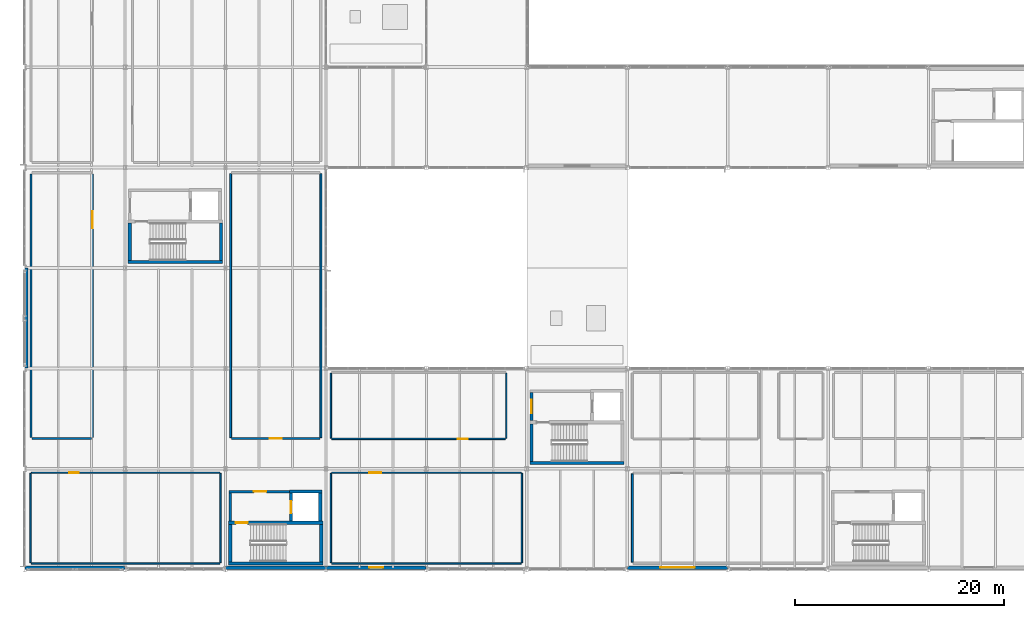
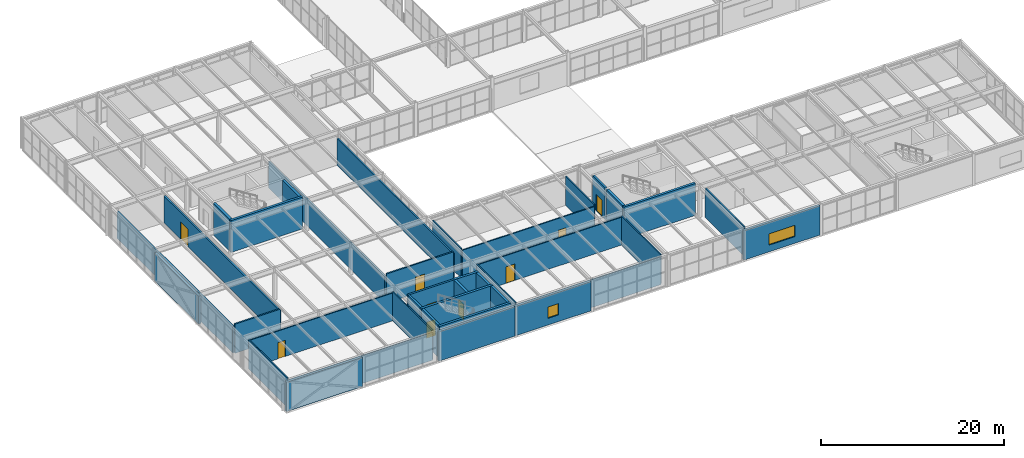
# One storey, part 150 of 170: 38 walls, 9 doors, 2 windows, 11 openings.
"""IFC4 building model written with IfcOpenShell, lengths in metres."""

from ifc_helpers import new_model, si_unit, direction, frame, frame_2d, origin, place, context, subcontext, project, spatial, rectangle, extrude, material, layer, layer_set, type_object, element, fill, save


model = new_model("IFC4")

# Units and contexts
model_context = context("Model", 3, precision=1e-05, world=origin(), true_north=direction((0.0, 1.0)))
body_context = subcontext(model_context, "Body", "Model", "MODEL_VIEW")
ifc_project = project(units=[si_unit("LENGTHUNIT", "METRE"), si_unit("AREAUNIT", "SQUARE_METRE"), si_unit("VOLUMEUNIT", "CUBIC_METRE"), si_unit("PLANEANGLEUNIT", "RADIAN"), si_unit("MASSUNIT", "GRAM", prefix="KILO")], contexts=[model_context])

# Site, building, storey
site_placement = place(None, origin())
site = spatial("IfcSite", under=ifc_project, at=site_placement, CompositionType="ELEMENT")
building_placement = place(site_placement, origin())
building = spatial("IfcBuilding", under=site, at=building_placement, Name="Coralgate Yard Interchange", CompositionType="ELEMENT")
storey_placement = place(building_placement, frame((0.0, 0.0, 6.0)))
storey = spatial("IfcBuildingStorey", under=building, at=storey_placement, Name="L01", CompositionType="ELEMENT", Elevation=6.0)

# Walls
ifc_material_1 = material(Name="Concrete C40/50", Category="concrete")
ifc_layer_1 = layer(ifc_material_1, 0.300048828125)
ifc_layer_set_1 = layer_set([ifc_layer_1], Name="Concrete C40/50")
wall_type_1 = type_object("IfcWallType", Name="WAL-CW300", PredefinedType="SHEAR", material=ifc_layer_set_1)
wall_1_placement = place(storey_placement, frame((9.89990234375, 29.3701171875, 0.0), z_axis=(0.0, 0.0, 1.0), x_axis=(1.0, 0.0, 0.0)))
element("IfcWall", 1, at=wall_1_placement, inside=storey, type_object=wall_type_1, Name="C1 L01 stair south shear wall", PredefinedType="SHEAR", context=body_context, shape_type="SweptSolid", body=[
    extrude(rectangle(XDim=9.0, YDim=0.300048828125, at=frame_2d((4.5, 0.0))), origin(), (0.0, 0.0, 1.0), 4.25),
])
for number, where, z_axis, x_axis, name in (
    (2, (10.050048828125, 29.52001953125, 0.0), (0.0, 0.0, 1.0), (0.0, 1.0, 0.0), "C1 L01 stair west shear wall"),
    (3, (18.75, 33.10009765625, 0.0), (0.0, 0.0, 1.0), (0.0, -1.0, 0.0), "C1 L01 stair east shear wall"),
):
    element("IfcWall", number, at=place(storey_placement, frame(where, z_axis=z_axis, x_axis=x_axis)), inside=storey, type_object=wall_type_1, Name=name, PredefinedType="SHEAR", context=body_context, shape_type="SweptSolid", body=[
        extrude(rectangle(XDim=3.580078125, YDim=0.300048828125, at=frame_2d((1.7900390625, 0.0))), origin(), (0.0, 0.0, 1.0), 4.25),
    ])
wall_2_placement = place(storey_placement, frame((48.300048828125, 10.169921875, 0.0), z_axis=(0.0, 0.0, 1.0), x_axis=(1.0, 0.0, 0.0)))
element("IfcWall", 4, at=wall_2_placement, inside=storey, type_object=wall_type_1, Name="C2 L01 stair south shear wall", PredefinedType="SHEAR", context=body_context, shape_type="SweptSolid", body=[
    extrude(rectangle(XDim=9.0, YDim=0.300048828125, at=frame_2d((4.5, 0.0))), origin(), (0.0, 0.0, 1.0), 4.25),
])
wall_3_placement = place(storey_placement, frame((48.449951171875, 10.320068359375, 0.0), z_axis=(0.0, 0.0, 1.0), x_axis=(0.0, 1.0, 0.0)))
element("IfcWall", 5, at=wall_3_placement, inside=storey, type_object=wall_type_1, Name="C2 L01 stair west shear wall", PredefinedType="SHEAR", context=body_context, shape_type="SweptSolid", body=[
    extrude(rectangle(XDim=3.579833984375, YDim=0.300048828125, at=frame_2d((1.7900390625, 0.0))), origin(), (0.0, 0.0, 1.0), 4.25),
])
wall_4_placement = place(storey_placement, frame((19.5, 0.570068359375, 0.0), z_axis=(0.0, 0.0, 1.0), x_axis=(1.0, 0.0, 0.0)))
element("IfcWall", 6, at=wall_4_placement, inside=storey, type_object=wall_type_1, Name="C3 L01 stair south shear wall", PredefinedType="SHEAR", context=body_context, shape_type="SweptSolid", body=[
    extrude(rectangle(XDim=9.0, YDim=0.300048828125, at=frame_2d((4.5, 0.0))), origin(), (0.0, 0.0, 1.0), 4.25),
])

# Wall, opening, door
wall_5_placement = place(storey_placement, frame((28.5, 4.449951171875, 0.0), z_axis=(0.0, 0.0, 1.0), x_axis=(-1.0, 0.0, 0.0)))
wall_5 = element("IfcWall", 7, at=wall_5_placement, inside=storey, type_object=wall_type_1, Name="C3 L01 stair north shear wall", PredefinedType="SHEAR", context=body_context, shape_type="SweptSolid", body=[
    extrude(rectangle(XDim=9.0, YDim=0.300048828125, at=frame_2d((4.5, 0.0))), origin(), (0.0, 0.0, 1.0), 4.25),
])
opening_1_placement = place(wall_5_placement, frame((7.199951171875, 0.0, 0.0)))
opening_1 = element("IfcOpeningElement", 8, at=opening_1_placement, cuts=wall_5, Name="Opening FD-1", PredefinedType="OPENING", context=body_context, shape_type="SweptSolid", body=[
    extrude(rectangle(XDim=1.10009765625, YDim=2.14990234375, at=frame_2d((0.550048828125, 1.074951171875))), frame((0.0, 0.159912109375, 0.0), z_axis=(0.0, -1.0, 0.0), x_axis=(1.0, 0.0, 0.0)), (0.0, 0.0, 1.0), 0.320068359375),
])
ifc_material_2 = material(Name="Powder-coated steel fire door assembly", Category="steel")
door_type_1 = type_object("IfcDoorType", Name="DOR-FD-1", OperationType="NOTDEFINED", PredefinedType="DOOR", material=ifc_material_2)
door_1_placement = place(opening_1_placement, frame((1.10009765625, 0.0, 0.0), z_axis=(0.0, 0.0, 1.0), x_axis=(-1.0, 0.0, 0.0)))
door_1 = element("IfcDoor", 9, at=door_1_placement, inside=storey, type_object=door_type_1, Name="C3 L01 stair fire door", OperationType="SINGLE_SWING_RIGHT", OverallHeight=2.14990234375, OverallWidth=1.10009765625, PredefinedType="DOOR", context=body_context, shape_type="SweptSolid", body=[
    extrude(rectangle(XDim=1.10009765625, YDim=2.14990234375, at=frame_2d((0.550048828125, 1.074951171875))), frame((0.0, 0.02490234375, 0.0), z_axis=(0.0, -1.0, 0.0), x_axis=(1.0, 0.0, 0.0)), (0.0, 0.0, 1.0), 0.050048828125),
])
fill(opening_1, door_1)

# Walls
for number, where, z_axis, x_axis, name in (
    (10, (19.64990234375, 0.719970703125, 0.0), (0.0, 0.0, 1.0), (0.0, 1.0, 0.0), "C3 L01 stair west shear wall"),
    (11, (28.35009765625, 4.300048828125, 0.0), (0.0, 0.0, 1.0), (0.0, -1.0, 0.0), "C3 L01 stair east shear wall"),
):
    element("IfcWall", number, at=place(storey_placement, frame(where, z_axis=z_axis, x_axis=x_axis)), inside=storey, type_object=wall_type_1, Name=name, PredefinedType="SHEAR", context=body_context, shape_type="SweptSolid", body=[
        extrude(rectangle(XDim=3.580078125, YDim=0.300048828125, at=frame_2d((1.7900390625, 0.0))), origin(), (0.0, 0.0, 1.0), 4.25),
    ])

# Wall, opening, door
wall_6_placement = place(storey_placement, frame((25.449951171875, 7.300048828125, 0.0), z_axis=(0.0, 0.0, 1.0), x_axis=(0.0, -1.0, 0.0)))
wall_6 = element("IfcWall", 12, at=wall_6_placement, inside=storey, type_object=wall_type_1, Name="C3 L01 lift front shear wall", PredefinedType="SHEAR", context=body_context, shape_type="SweptSolid", body=[
    extrude(rectangle(XDim=2.699951171875, YDim=0.300048828125, at=frame_2d((1.35009765625, 0.0))), origin(), (0.0, 0.0, 1.0), 4.25),
])
opening_2_placement = place(wall_6_placement, frame((0.77490234375, 0.0, 0.0)))
opening_2 = element("IfcOpeningElement", 13, at=opening_2_placement, cuts=wall_6, Name="Opening LD-2", PredefinedType="OPENING", context=body_context, shape_type="SweptSolid", body=[
    extrude(rectangle(XDim=1.14990234375, YDim=2.10009765625, at=frame_2d((0.574951171875, 1.050048828125))), frame((0.0, 0.159912109375, 0.0), z_axis=(0.0, -1.0, 0.0), x_axis=(1.0, 0.0, 0.0)), (0.0, 0.0, 1.0), 0.320068359375),
])
ifc_material_3 = material(Name="Brushed stainless steel passenger lift landing door", Category="steel")
door_type_2 = type_object("IfcDoorType", Name="DOR-LD-2", OperationType="DOUBLE_DOOR_SLIDING", PredefinedType="DOOR", material=ifc_material_3)
door_2_placement = place(opening_2_placement, frame((1.14990234375, 0.0, 0.0), z_axis=(0.0, 0.0, 1.0), x_axis=(-1.0, 0.0, 0.0)))
door_2 = element("IfcDoor", 14, at=door_2_placement, inside=storey, type_object=door_type_2, Name="LF-01 L01 sliding lift landing door", OperationType="DOUBLE_DOOR_SLIDING", OverallHeight=2.10009765625, OverallWidth=1.14990234375, PredefinedType="DOOR", context=body_context, shape_type="SweptSolid", body=[
    extrude(rectangle(XDim=1.14990234375, YDim=2.10009765625, at=frame_2d((0.574951171875, 1.050048828125))), frame((0.0, 0.02490234375, 0.0), z_axis=(0.0, -1.0, 0.0), x_axis=(1.0, 0.0, 0.0)), (0.0, 0.0, 1.0), 0.050048828125),
])
fill(opening_2, door_2)

# Walls
wall_7_placement = place(storey_placement, frame((28.25, 4.60009765625, 0.0), z_axis=(0.0, 0.0, 1.0), x_axis=(0.0, 1.0, 0.0)))
element("IfcWall", 15, at=wall_7_placement, inside=storey, type_object=wall_type_1, Name="C3 L01 lift rear shear wall", PredefinedType="SHEAR", context=body_context, shape_type="SweptSolid", body=[
    extrude(rectangle(XDim=2.699951171875, YDim=0.300048828125, at=frame_2d((1.35009765625, 0.0))), origin(), (0.0, 0.0, 1.0), 4.25),
])
wall_8_placement = place(storey_placement, frame((25.300048828125, 7.449951171875, 0.0), z_axis=(0.0, 0.0, 1.0), x_axis=(1.0, 0.0, 0.0)))
element("IfcWall", 16, at=wall_8_placement, inside=storey, type_object=wall_type_1, Name="C3 L01 lift north shear wall", PredefinedType="SHEAR", context=body_context, shape_type="SweptSolid", body=[
    extrude(rectangle(XDim=3.099853515625, YDim=0.300048828125, at=frame_2d((1.5498046875, 0.0))), origin(), (0.0, 0.0, 1.0), 4.25),
])
ifc_material_4 = material(Name="Precast concrete C40/50", Category="concrete")
ifc_layer_2 = layer(ifc_material_4, 0.320068359375)
ifc_layer_set_2 = layer_set([ifc_layer_2], Name="Precast concrete C40/50")
wall_type_2 = type_object("IfcWallType", Name="WAL-EW-320", PredefinedType="SOLIDWALL", material=ifc_layer_set_2)
wall_9_placement = place(storey_placement, frame((9.580078125, 0.159912109375, 0.0), z_axis=(0.0, 0.0, 1.0), x_axis=(-1.0, 0.0, 0.0)))
element("IfcWall", 17, at=wall_9_placement, inside=storey, type_object=wall_type_2, Name="L01 exterior coastal wall S 0-0", PredefinedType="SOLIDWALL", context=body_context, shape_type="SweptSolid", body=[
    extrude(rectangle(XDim=9.56005859375, YDim=0.320068359375, at=frame_2d((4.780029296875, 0.0))), origin(), (0.0, 0.0, 1.0), 3.89990234375),
])
wall_10_placement = place(storey_placement, frame((0.159912109375, 19.219970703125, 0.0), z_axis=(0.0, 0.0, 1.0), x_axis=(0.0, 1.0, 0.0)))
element("IfcWall", 18, at=wall_10_placement, inside=storey, type_object=wall_type_2, Name="L01 exterior coastal wall W 0-2", PredefinedType="SOLIDWALL", context=body_context, shape_type="SweptSolid", body=[
    extrude(rectangle(XDim=9.56005859375, YDim=0.320068359375, at=frame_2d((4.780029296875, 0.0))), origin(), (0.0, 0.0, 1.0), 3.716796875),
])
wall_11_placement = place(storey_placement, frame((28.780029296875, 0.159912109375, 0.0), z_axis=(0.0, 0.0, 1.0), x_axis=(-1.0, 0.0, 0.0)))
element("IfcWall", 19, at=wall_11_placement, inside=storey, type_object=wall_type_2, Name="L01 exterior coastal wall S 2-0", PredefinedType="SOLIDWALL", context=body_context, shape_type="SweptSolid", body=[
    extrude(rectangle(XDim=9.56005859375, YDim=0.320068359375, at=frame_2d((4.780029296875, 0.0))), origin(), (0.0, 0.0, 1.0), 3.89990234375),
])

# Wall, opening, window
wall_12_placement = place(storey_placement, frame((38.3798828125, 0.159912109375, 0.0), z_axis=(0.0, 0.0, 1.0), x_axis=(-1.0, 0.0, 0.0)))
wall_12 = element("IfcWall", 20, at=wall_12_placement, inside=storey, type_object=wall_type_2, Name="L01 exterior coastal wall S 3-0", PredefinedType="SOLIDWALL", context=body_context, shape_type="SweptSolid", body=[
    extrude(rectangle(XDim=9.559814453125, YDim=0.320068359375, at=frame_2d((4.77978515625, 0.0))), origin(), (0.0, 0.0, 1.0), 3.89990234375),
])
opening_3_placement = place(wall_12_placement, frame((4.10498046875, 0.0, 0.89990234375)))
opening_3 = element("IfcOpeningElement", 21, at=opening_3_placement, cuts=wall_12, Name="Opening W-15", PredefinedType="OPENING", context=body_context, shape_type="SweptSolid", body=[
    extrude(rectangle(XDim=1.35009765625, YDim=1.5, at=frame_2d((0.675048828125, 0.75))), frame((0.0, 0.169921875, 0.0), z_axis=(0.0, -1.0, 0.0), x_axis=(1.0, 0.0, 0.0)), (0.0, 0.0, 1.0), 0.340087890625),
])
ifc_material_5 = material(Name="Thermally broken anodised aluminium and solar-control low-E glass", Category="aluminium")
window_type_1 = type_object("IfcWindowType", Name="WIN-W-15", PartitioningType="SINGLE_PANEL", PredefinedType="WINDOW", material=ifc_material_5)
window_1_placement = place(opening_3_placement, origin())
window_1 = element("IfcWindow", 22, at=window_1_placement, inside=storey, type_object=window_type_1, Name="L01 coastal facade window S-3-0", OverallHeight=1.5, OverallWidth=1.35009765625, PartitioningType="SINGLE_PANEL", PredefinedType="WINDOW", context=body_context, shape_type="SweptSolid", body=[
    extrude(rectangle(XDim=1.35009765625, YDim=1.5, at=frame_2d((0.675048828125, 0.75))), frame((0.0, 0.030029296875, 0.0), z_axis=(0.0, -1.0, 0.0), x_axis=(1.0, 0.0, 0.0)), (0.0, 0.0, 1.0), 0.06005859375),
])
fill(opening_3, window_1)

wall_13_placement = place(storey_placement, frame((67.179931640625, 0.159912109375, 0.0), z_axis=(0.0, 0.0, 1.0), x_axis=(-1.0, 0.0, 0.0)))
wall_13 = element("IfcWall", 23, at=wall_13_placement, inside=storey, type_object=wall_type_2, Name="L01 exterior coastal wall S 6-0", PredefinedType="SOLIDWALL", context=body_context, shape_type="SweptSolid", body=[
    extrude(rectangle(XDim=9.559814453125, YDim=0.320068359375, at=frame_2d((4.77978515625, 0.0))), origin(), (0.0, 0.0, 1.0), 3.89990234375),
])
opening_4_placement = place(wall_13_placement, frame((3.1298828125, 0.0, 0.89990234375)))
opening_4 = element("IfcOpeningElement", 24, at=opening_4_placement, cuts=wall_13, Name="Opening W-24", PredefinedType="OPENING", context=body_context, shape_type="SweptSolid", body=[
    extrude(rectangle(XDim=3.300048828125, YDim=1.5, at=frame_2d((1.64990234375, 0.75))), frame((0.0, 0.169921875, 0.0), z_axis=(0.0, -1.0, 0.0), x_axis=(1.0, 0.0, 0.0)), (0.0, 0.0, 1.0), 0.340087890625),
])
window_type_2 = type_object("IfcWindowType", Name="WIN-W-24", PartitioningType="SINGLE_PANEL", PredefinedType="WINDOW", material=ifc_material_5)
window_2_placement = place(opening_4_placement, origin())
window_2 = element("IfcWindow", 25, at=window_2_placement, inside=storey, type_object=window_type_2, Name="L01 coastal facade window S-6-0", OverallHeight=1.5, OverallWidth=3.300048828125, PartitioningType="SINGLE_PANEL", PredefinedType="WINDOW", context=body_context, shape_type="SweptSolid", body=[
    extrude(rectangle(XDim=3.300048828125, YDim=1.5, at=frame_2d((1.64990234375, 0.75))), frame((0.0, 0.030029296875, 0.0), z_axis=(0.0, -1.0, 0.0), x_axis=(1.0, 0.0, 0.0)), (0.0, 0.0, 1.0), 0.06005859375),
])
fill(opening_4, window_2)

# Wall
ifc_material_6 = material(Name="Acoustic twin-stud office partition")
ifc_layer_3 = layer(ifc_material_6, 0.139892578125)
ifc_layer_set_3 = layer_set([ifc_layer_3], Name="Acoustic twin-stud office partition")
wall_type_3 = type_object("IfcWallType", Name="WAL-PW-140", PredefinedType="PARTITIONING", material=ifc_layer_set_3)
wall_14_placement = place(storey_placement, frame((18.659912109375, 0.570068359375, 0.0), z_axis=(0.0, 0.0, 1.0), x_axis=(-1.0, 0.0, 0.0)))
element("IfcWall", 26, at=wall_14_placement, inside=storey, type_object=wall_type_3, Name="Transit Cyber-Security Operations Office partition S", PredefinedType="PARTITIONING", context=body_context, shape_type="SweptSolid", body=[
    extrude(rectangle(XDim=18.02001953125, YDim=0.139892578125, at=frame_2d((9.010009765625, 0.0))), origin(), (0.0, 0.0, 1.0), 3.706787109375),
])

# Wall, opening, door
wall_15_placement = place(storey_placement, frame((0.639892578125, 9.22998046875, 0.0), z_axis=(0.0, 0.0, 1.0), x_axis=(1.0, 0.0, 0.0)))
wall_15 = element("IfcWall", 27, at=wall_15_placement, inside=storey, type_object=wall_type_3, Name="Transit Cyber-Security Operations Office partition N", PredefinedType="PARTITIONING", context=body_context, shape_type="SweptSolid", body=[
    extrude(rectangle(XDim=18.02001953125, YDim=0.139892578125, at=frame_2d((9.010009765625, 0.0))), origin(), (0.0, 0.0, 1.0), 3.706787109375),
])
opening_5_placement = place(wall_15_placement, frame((3.60009765625, 0.0, 0.0)))
opening_5 = element("IfcOpeningElement", 28, at=opening_5_placement, cuts=wall_15, Name="Opening ID-11", PredefinedType="OPENING", context=body_context, shape_type="SweptSolid", body=[
    extrude(rectangle(XDim=0.919921875, YDim=2.14990234375, at=frame_2d((0.4599609375, 1.074951171875))), frame((0.0, 0.079833984375, 0.0), z_axis=(0.0, -1.0, 0.0), x_axis=(1.0, 0.0, 0.0)), (0.0, 0.0, 1.0), 0.159912109375),
])
ifc_material_7 = material(Name="Timber administrative room door", Category="wood")
door_type_3 = type_object("IfcDoorType", Name="DOR-ID-11", OperationType="NOTDEFINED", PredefinedType="DOOR", material=ifc_material_7)
door_3_placement = place(opening_5_placement, origin())
door_3 = element("IfcDoor", 29, at=door_3_placement, inside=storey, type_object=door_type_3, Name="Transit Cyber-Security Operations Office door", OperationType="SINGLE_SWING_RIGHT", OverallHeight=2.14990234375, OverallWidth=0.919921875, PredefinedType="DOOR", context=body_context, shape_type="SweptSolid", body=[
    extrude(rectangle(XDim=0.919921875, YDim=2.14990234375, at=frame_2d((0.4599609375, 1.074951171875))), frame((0.0, 0.02490234375, 0.0), z_axis=(0.0, -1.0, 0.0), x_axis=(1.0, 0.0, 0.0)), (0.0, 0.0, 1.0), 0.050048828125),
])
fill(opening_5, door_3)

# Walls
for number, where, z_axis, x_axis, name in (
    (30, (0.570068359375, 0.639892578125, 0.0), (0.0, 0.0, 1.0), (0.0, 1.0, 0.0), "Transit Cyber-Security Operations Office partition W"),
    (31, (18.72998046875, 9.159912109375, 0.0), (0.0, 0.0, 1.0), (0.0, -1.0, 0.0), "Transit Cyber-Security Operations Office partition E"),
):
    element("IfcWall", number, at=place(storey_placement, frame(where, z_axis=z_axis, x_axis=x_axis)), inside=storey, type_object=wall_type_3, Name=name, PredefinedType="PARTITIONING", context=body_context, shape_type="SweptSolid", body=[
        extrude(rectangle(XDim=8.52001953125, YDim=0.139892578125, at=frame_2d((4.260009765625, 0.0))), origin(), (0.0, 0.0, 1.0), 3.889892578125),
    ])
wall_16_placement = place(storey_placement, frame((47.4599609375, 0.570068359375, 0.0), z_axis=(0.0, 0.0, 1.0), x_axis=(-1.0, 0.0, 0.0)))
element("IfcWall", 32, at=wall_16_placement, inside=storey, type_object=wall_type_3, Name="Automated Fare Collection Operations Office partition S", PredefinedType="PARTITIONING", context=body_context, shape_type="SweptSolid", body=[
    extrude(rectangle(XDim=18.119873046875, YDim=0.139892578125, at=frame_2d((9.06005859375, 0.0))), origin(), (0.0, 0.0, 1.0), 3.706787109375),
])

# Wall, opening, door
wall_17_placement = place(storey_placement, frame((29.340087890625, 9.22998046875, 0.0), z_axis=(0.0, 0.0, 1.0), x_axis=(1.0, 0.0, 0.0)))
wall_17 = element("IfcWall", 33, at=wall_17_placement, inside=storey, type_object=wall_type_3, Name="Automated Fare Collection Operations Office partition N", PredefinedType="PARTITIONING", context=body_context, shape_type="SweptSolid", body=[
    extrude(rectangle(XDim=18.119873046875, YDim=0.139892578125, at=frame_2d((9.06005859375, 0.0))), origin(), (0.0, 0.0, 1.0), 3.706787109375),
])
opening_6_placement = place(wall_17_placement, frame((3.60009765625, 0.0, 0.0)))
opening_6 = element("IfcOpeningElement", 34, at=opening_6_placement, cuts=wall_17, Name="Opening ID-23", PredefinedType="OPENING", context=body_context, shape_type="SweptSolid", body=[
    extrude(rectangle(XDim=1.1201171875, YDim=2.199951171875, at=frame_2d((0.56005859375, 1.10009765625))), frame((0.0, 0.079833984375, 0.0), z_axis=(0.0, -1.0, 0.0), x_axis=(1.0, 0.0, 0.0)), (0.0, 0.0, 1.0), 0.159912109375),
])
ifc_material_8 = material(Name="Acoustic hardwood operational office door", Category="wood")
door_type_4 = type_object("IfcDoorType", Name="DOR-ID-23", OperationType="NOTDEFINED", PredefinedType="DOOR", material=ifc_material_8)
door_4_placement = place(opening_6_placement, origin())
door_4 = element("IfcDoor", 35, at=door_4_placement, inside=storey, type_object=door_type_4, Name="Automated Fare Collection Operations Office door", OperationType="SINGLE_SWING_LEFT", OverallHeight=2.199951171875, OverallWidth=1.1201171875, PredefinedType="DOOR", context=body_context, shape_type="SweptSolid", body=[
    extrude(rectangle(XDim=1.1201171875, YDim=2.199951171875, at=frame_2d((0.56005859375, 1.10009765625))), frame((0.0, 0.02490234375, 0.0), z_axis=(0.0, -1.0, 0.0), x_axis=(1.0, 0.0, 0.0)), (0.0, 0.0, 1.0), 0.050048828125),
])
fill(opening_6, door_4)

# Walls
for number, where, z_axis, x_axis, name in (
    (36, (29.27001953125, 0.639892578125, 0.0), (0.0, 0.0, 1.0), (0.0, 1.0, 0.0), "Automated Fare Collection Operations Office partition W"),
    (37, (47.530029296875, 9.159912109375, 0.0), (0.0, 0.0, 1.0), (0.0, -1.0, 0.0), "Automated Fare Collection Operations Office partition E"),
):
    element("IfcWall", number, at=place(storey_placement, frame(where, z_axis=z_axis, x_axis=x_axis)), inside=storey, type_object=wall_type_3, Name=name, PredefinedType="PARTITIONING", context=body_context, shape_type="SweptSolid", body=[
        extrude(rectangle(XDim=8.52001953125, YDim=0.139892578125, at=frame_2d((4.260009765625, 0.0))), origin(), (0.0, 0.0, 1.0), 3.889892578125),
    ])

# Wall, opening, door
wall_18_placement = place(storey_placement, frame((45.9599609375, 12.469970703125, 0.0), z_axis=(0.0, 0.0, 1.0), x_axis=(-1.0, 0.0, 0.0)))
wall_18 = element("IfcWall", 38, at=wall_18_placement, inside=storey, type_object=wall_type_3, Name="Station Facilities Management Office partition S", PredefinedType="PARTITIONING", context=body_context, shape_type="SweptSolid", body=[
    extrude(rectangle(XDim=16.619873046875, YDim=0.139892578125, at=frame_2d((8.31005859375, 0.0))), origin(), (0.0, 0.0, 1.0), 3.706787109375),
])
opening_7_placement = place(wall_18_placement, frame((3.60009765625, 0.0, 0.0)))
opening_7 = element("IfcOpeningElement", 39, at=opening_7_placement, cuts=wall_18, Name="Opening ID-01", PredefinedType="OPENING", context=body_context, shape_type="SweptSolid", body=[
    extrude(rectangle(XDim=0.949951171875, YDim=2.14990234375, at=frame_2d((0.47509765625, 1.074951171875))), frame((0.0, 0.079833984375, 0.0), z_axis=(0.0, -1.0, 0.0), x_axis=(1.0, 0.0, 0.0)), (0.0, 0.0, 1.0), 0.159912109375),
])
ifc_material_9 = material(Name="Solid-core hardwood timber office door", Category="wood")
door_type_5 = type_object("IfcDoorType", Name="DOR-ID-01", OperationType="NOTDEFINED", PredefinedType="DOOR", material=ifc_material_9)
door_5_placement = place(opening_7_placement, frame((0.949951171875, 0.0, 0.0), z_axis=(0.0, 0.0, 1.0), x_axis=(-1.0, 0.0, 0.0)))
door_5 = element("IfcDoor", 40, at=door_5_placement, inside=storey, type_object=door_type_5, Name="Station Facilities Management Office door", OperationType="SINGLE_SWING_LEFT", OverallHeight=2.14990234375, OverallWidth=0.949951171875, PredefinedType="DOOR", context=body_context, shape_type="SweptSolid", body=[
    extrude(rectangle(XDim=0.949951171875, YDim=2.14990234375, at=frame_2d((0.47509765625, 1.074951171875))), frame((0.0, 0.02490234375, 0.0), z_axis=(0.0, -1.0, 0.0), x_axis=(1.0, 0.0, 0.0)), (0.0, 0.0, 1.0), 0.050048828125),
])
fill(opening_7, door_5)

# Walls
for number, where, z_axis, x_axis, name in (
    (41, (29.27001953125, 12.5400390625, 0.0), (0.0, 0.0, 1.0), (0.0, 1.0, 0.0), "Station Facilities Management Office partition W"),
    (42, (46.030029296875, 18.760009765625, 0.0), (0.0, 0.0, 1.0), (0.0, -1.0, 0.0), "Station Facilities Management Office partition E"),
):
    element("IfcWall", number, at=place(storey_placement, frame(where, z_axis=z_axis, x_axis=x_axis)), inside=storey, type_object=wall_type_3, Name=name, PredefinedType="PARTITIONING", context=body_context, shape_type="SweptSolid", body=[
        extrude(rectangle(XDim=6.219970703125, YDim=0.139892578125, at=frame_2d((3.10986328125, 0.0))), origin(), (0.0, 0.0, 1.0), 3.889892578125),
    ])

# Wall, opening, door
ifc_material_10 = material(Name="Acoustic concrete blockwork", Category="masonry")
ifc_layer_4 = layer(ifc_material_10, 0.179931640625)
ifc_layer_set_4 = layer_set([ifc_layer_4], Name="Acoustic concrete blockwork")
wall_type_4 = type_object("IfcWallType", Name="WAL-PW-180", PredefinedType="PARTITIONING", material=ifc_layer_set_4)
wall_19_placement = place(storey_placement, frame((28.219970703125, 12.489990234375, 0.0), z_axis=(0.0, 0.0, 1.0), x_axis=(-1.0, 0.0, 0.0)))
wall_19 = element("IfcWall", 43, at=wall_19_placement, inside=storey, type_object=wall_type_4, Name="Fibre Telecoms and Radio Hub partition S", PredefinedType="PARTITIONING", context=body_context, shape_type="SweptSolid", body=[
    extrude(rectangle(XDim=8.43994140625, YDim=0.179931640625, at=frame_2d((4.219970703125, 0.0))), origin(), (0.0, 0.0, 1.0), 3.889892578125),
])
opening_8_placement = place(wall_19_placement, frame((3.64501953125, 0.0, 0.0)))
opening_8 = element("IfcOpeningElement", 44, at=opening_8_placement, cuts=wall_19, Name="Opening ID-15", PredefinedType="OPENING", context=body_context, shape_type="SweptSolid", body=[
    extrude(rectangle(XDim=1.14990234375, YDim=2.199951171875, at=frame_2d((0.574951171875, 1.10009765625))), frame((0.0, 0.099853515625, 0.0), z_axis=(0.0, -1.0, 0.0), x_axis=(1.0, 0.0, 0.0)), (0.0, 0.0, 1.0), 0.199951171875),
])
ifc_material_11 = material(Name="Steel electrical riser and UPS door", Category="steel")
door_type_6 = type_object("IfcDoorType", Name="DOR-ID-15", OperationType="NOTDEFINED", PredefinedType="DOOR", material=ifc_material_11)
door_6_placement = place(opening_8_placement, origin())
door_6 = element("IfcDoor", 45, at=door_6_placement, inside=storey, type_object=door_type_6, Name="Fibre Telecoms and Radio Hub door", OperationType="SINGLE_SWING_LEFT", OverallHeight=2.199951171875, OverallWidth=1.14990234375, PredefinedType="DOOR", context=body_context, shape_type="SweptSolid", body=[
    extrude(rectangle(XDim=1.14990234375, YDim=2.199951171875, at=frame_2d((0.574951171875, 1.10009765625))), frame((0.0, 0.02490234375, 0.0), z_axis=(0.0, -1.0, 0.0), x_axis=(1.0, 0.0, 0.0)), (0.0, 0.0, 1.0), 0.050048828125),
])
fill(opening_8, door_6)

# Walls
for number, where, z_axis, x_axis, name in (
    (46, (19.68994140625, 12.580078125, 0.0), (0.0, 0.0, 1.0), (0.0, 1.0, 0.0), "Fibre Telecoms and Radio Hub partition W"),
    (47, (28.31005859375, 37.820068359375, 0.0), (0.0, 0.0, 1.0), (0.0, -1.0, 0.0), "Fibre Telecoms and Radio Hub partition E"),
):
    element("IfcWall", number, at=place(storey_placement, frame(where, z_axis=z_axis, x_axis=x_axis)), inside=storey, type_object=wall_type_4, Name=name, PredefinedType="PARTITIONING", context=body_context, shape_type="SweptSolid", body=[
        extrude(rectangle(XDim=25.239990234375, YDim=0.179931640625, at=frame_2d((12.6201171875, 0.0))), origin(), (0.0, 0.0, 1.0), 3.556396484375),
    ])
wall_20_placement = place(storey_placement, frame((58.090087890625, 0.679931640625, 0.0), z_axis=(0.0, 0.0, 1.0), x_axis=(0.0, 1.0, 0.0)))
element("IfcWall", 48, at=wall_20_placement, inside=storey, type_object=wall_type_4, Name="Revenue Audit and Counting Suite partition W", PredefinedType="PARTITIONING", context=body_context, shape_type="SweptSolid", body=[
    extrude(rectangle(XDim=8.440185546875, YDim=0.179931640625, at=frame_2d((4.22021484375, 0.0))), origin(), (0.0, 0.0, 1.0), 3.889892578125),
])
ifc_material_12 = material(Name="Concrete blockwork masonry", Category="masonry")
ifc_layer_5 = layer(ifc_material_12, 0.199951171875)
ifc_layer_set_5 = layer_set([ifc_layer_5], Name="Concrete blockwork masonry")
wall_type_5 = type_object("IfcWallType", Name="WAL-PW-200", PredefinedType="PARTITIONING", material=ifc_layer_set_5)
wall_21_placement = place(storey_placement, frame((6.39990234375, 12.5, 0.0), z_axis=(0.0, 0.0, 1.0), x_axis=(-1.0, 0.0, 0.0)))
element("IfcWall", 49, at=wall_21_placement, inside=storey, type_object=wall_type_5, Name="Metro Interlocking and Signalling Equipment Room partition S", PredefinedType="PARTITIONING", context=body_context, shape_type="SweptSolid", body=[
    extrude(rectangle(XDim=5.699951171875, YDim=0.199951171875, at=frame_2d((2.85009765625, 0.0))), origin(), (0.0, 0.0, 1.0), 3.889892578125),
])
wall_22_placement = place(storey_placement, frame((0.60009765625, 12.60009765625, 0.0), z_axis=(0.0, 0.0, 1.0), x_axis=(0.0, 1.0, 0.0)))
element("IfcWall", 50, at=wall_22_placement, inside=storey, type_object=wall_type_5, Name="Metro Interlocking and Signalling Equipment Room partition W", PredefinedType="PARTITIONING", context=body_context, shape_type="SweptSolid", body=[
    extrude(rectangle(XDim=25.199951171875, YDim=0.199951171875, at=frame_2d((12.60009765625, 0.0))), origin(), (0.0, 0.0, 1.0), 3.556396484375),
])

# Wall, opening, door
wall_23_placement = place(storey_placement, frame((6.5, 37.800048828125, 0.0), z_axis=(0.0, 0.0, 1.0), x_axis=(0.0, -1.0, 0.0)))
wall_23 = element("IfcWall", 51, at=wall_23_placement, inside=storey, type_object=wall_type_5, Name="Metro Interlocking and Signalling Equipment Room partition E", PredefinedType="PARTITIONING", context=body_context, shape_type="SweptSolid", body=[
    extrude(rectangle(XDim=25.199951171875, YDim=0.199951171875, at=frame_2d((12.60009765625, 0.0))), origin(), (0.0, 0.0, 1.0), 3.556396484375),
])
opening_9_placement = place(wall_23_placement, frame((3.60009765625, 0.0, 0.0)))
opening_9 = element("IfcOpeningElement", 52, at=opening_9_placement, cuts=wall_23, Name="Opening ID-07", PredefinedType="OPENING", context=body_context, shape_type="SweptSolid", body=[
    extrude(rectangle(XDim=1.60009765625, YDim=2.300048828125, at=frame_2d((0.800048828125, 1.14990234375))), frame((0.0, 0.10986328125, 0.0), z_axis=(0.0, -1.0, 0.0), x_axis=(1.0, 0.0, 0.0)), (0.0, 0.0, 1.0), 0.219970703125),
])
ifc_material_13 = material(Name="Powder-coated steel substation and plant double fire door", Category="steel")
door_type_7 = type_object("IfcDoorType", Name="DOR-ID-07", OperationType="NOTDEFINED", PredefinedType="DOOR", material=ifc_material_13)
door_7_placement = place(opening_9_placement, origin())
door_7 = element("IfcDoor", 53, at=door_7_placement, inside=storey, type_object=door_type_7, Name="Metro Interlocking and Signalling Equipment Room door", OperationType="DOUBLE_DOOR_SINGLE_SWING", OverallHeight=2.300048828125, OverallWidth=1.60009765625, PredefinedType="DOOR", context=body_context, shape_type="SweptSolid", body=[
    extrude(rectangle(XDim=1.60009765625, YDim=2.300048828125, at=frame_2d((0.800048828125, 1.14990234375))), frame((0.0, 0.02490234375, 0.0), z_axis=(0.0, -1.0, 0.0), x_axis=(1.0, 0.0, 0.0)), (0.0, 0.0, 1.0), 0.050048828125),
])
fill(opening_9, door_7)

ifc_layer_6 = layer(ifc_material_1, 0.25)
ifc_layer_set_6 = layer_set([ifc_layer_6], Name="Concrete C40/50")
wall_type_6 = type_object("IfcWallType", Name="WAL-SW250", PredefinedType="SHEAR", material=ifc_layer_set_6)
wall_24_placement = place(storey_placement, frame((48.449951171875, 14.199951171875, 0.0), z_axis=(0.0, 0.0, 1.0), x_axis=(0.0, 1.0, 0.0)))
wall_24 = element("IfcWall", 54, at=wall_24_placement, inside=storey, type_object=wall_type_6, Name="C2 L01 lobby west fire wall", PredefinedType="SHEAR", context=body_context, shape_type="SweptSolid", body=[
    extrude(rectangle(XDim=2.699951171875, YDim=0.25, at=frame_2d((1.35009765625, 0.0))), origin(), (0.0, 0.0, 1.0), 4.25),
])
opening_10_placement = place(wall_24_placement, frame((0.7099609375, 0.0, 0.0)))
opening_10 = element("IfcOpeningElement", 55, at=opening_10_placement, cuts=wall_24, Name="Opening FD-2B", PredefinedType="OPENING", context=body_context, shape_type="SweptSolid", body=[
    extrude(rectangle(XDim=1.280029296875, YDim=2.199951171875, at=frame_2d((0.64013671875, 1.10009765625))), frame((0.0, 0.135009765625, 0.0), z_axis=(0.0, -1.0, 0.0), x_axis=(1.0, 0.0, 0.0)), (0.0, 0.0, 1.0), 0.27001953125),
])
door_type_8 = type_object("IfcDoorType", Name="DOR-FD-2B", OperationType="NOTDEFINED", PredefinedType="DOOR", material=ifc_material_2)
door_8_placement = place(opening_10_placement, frame((1.280029296875, 0.0, 0.0), z_axis=(0.0, 0.0, 1.0), x_axis=(-1.0, 0.0, 0.0)))
door_8 = element("IfcDoor", 56, at=door_8_placement, inside=storey, type_object=door_type_8, Name="C2 L01 lobby fire door", OperationType="SINGLE_SWING_RIGHT", OverallHeight=2.199951171875, OverallWidth=1.280029296875, PredefinedType="DOOR", context=body_context, shape_type="SweptSolid", body=[
    extrude(rectangle(XDim=1.280029296875, YDim=2.199951171875, at=frame_2d((0.64013671875, 1.10009765625))), frame((0.0, 0.02490234375, 0.0), z_axis=(0.0, -1.0, 0.0), x_axis=(1.0, 0.0, 0.0)), (0.0, 0.0, 1.0), 0.050048828125),
])
fill(opening_10, door_8)

wall_25_placement = place(storey_placement, frame((25.300048828125, 7.425048828125, 0.0), z_axis=(0.0, 0.0, 1.0), x_axis=(-1.0, 0.0, 0.0)))
wall_25 = element("IfcWall", 57, at=wall_25_placement, inside=storey, type_object=wall_type_6, Name="C3 L01 lobby north fire wall", PredefinedType="SHEAR", context=body_context, shape_type="SweptSolid", body=[
    extrude(rectangle(XDim=5.775146484375, YDim=0.25, at=frame_2d((2.8876953125, 0.0))), origin(), (0.0, 0.0, 1.0), 4.25),
])
opening_11_placement = place(wall_25_placement, frame((2.199951171875, 0.0, 0.0)))
opening_11 = element("IfcOpeningElement", 58, at=opening_11_placement, cuts=wall_25, Name="Opening FD-2", PredefinedType="OPENING", context=body_context, shape_type="SweptSolid", body=[
    extrude(rectangle(XDim=1.199951171875, YDim=2.14990234375, at=frame_2d((0.60009765625, 1.074951171875))), frame((0.0, 0.135009765625, 0.0), z_axis=(0.0, -1.0, 0.0), x_axis=(1.0, 0.0, 0.0)), (0.0, 0.0, 1.0), 0.27001953125),
])
door_type_9 = type_object("IfcDoorType", Name="DOR-FD-2", OperationType="NOTDEFINED", PredefinedType="DOOR", material=ifc_material_2)
door_9_placement = place(opening_11_placement, origin())
door_9 = element("IfcDoor", 59, at=door_9_placement, inside=storey, type_object=door_type_9, Name="C3 L01 lobby fire door", OperationType="SINGLE_SWING_LEFT", OverallHeight=2.14990234375, OverallWidth=1.199951171875, PredefinedType="DOOR", context=body_context, shape_type="SweptSolid", body=[
    extrude(rectangle(XDim=1.199951171875, YDim=2.14990234375, at=frame_2d((0.60009765625, 1.074951171875))), frame((0.0, 0.02490234375, 0.0), z_axis=(0.0, -1.0, 0.0), x_axis=(1.0, 0.0, 0.0)), (0.0, 0.0, 1.0), 0.050048828125),
])
fill(opening_11, door_9)

# Wall
wall_26_placement = place(storey_placement, frame((19.64990234375, 4.60009765625, 0.0), z_axis=(0.0, 0.0, 1.0), x_axis=(0.0, 1.0, 0.0)))
element("IfcWall", 60, at=wall_26_placement, inside=storey, type_object=wall_type_6, Name="C3 L01 lobby west fire wall", PredefinedType="SHEAR", context=body_context, shape_type="SweptSolid", body=[
    extrude(rectangle(XDim=2.699951171875, YDim=0.25, at=frame_2d((1.35009765625, 0.0))), origin(), (0.0, 0.0, 1.0), 4.25),
])

save(model, "model.ifc")
